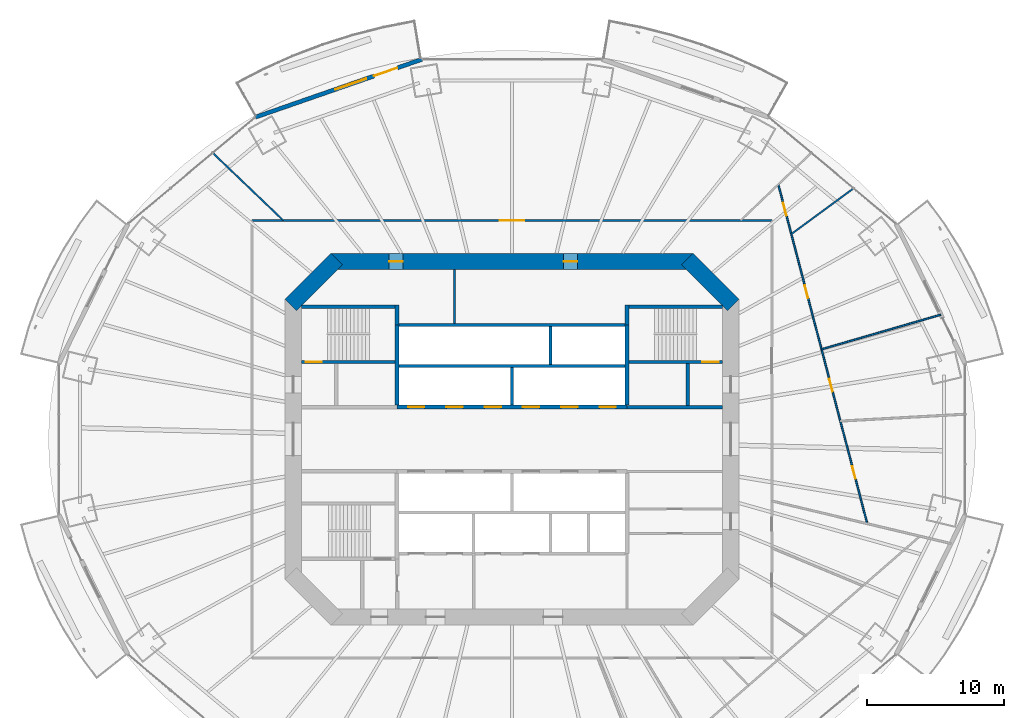
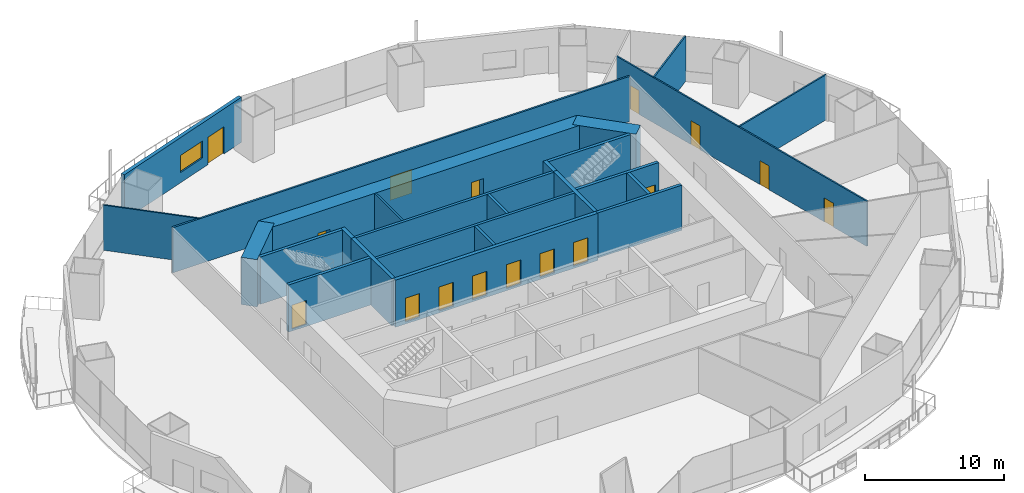
# One storey, part 15 of 21: 25 walls, 16 doors, 1 window, 17 openings.
"""IFC4 building model written with IfcOpenShell, lengths in metres."""

import ifcopenshell
import ifcopenshell.guid

model = None  # the IFC model being written
_history = None  # IfcOwnerHistory: only IFC2X3 demands one
_inside = {}  # id of a spatial element -> (the spatial element, [elements in it])
_under = {}  # id of a project, library or spatial element -> (it, [spatial elements below it])
_declared = {}  # id of a project -> (the project, [libraries it declares])
_typed = {}  # id of a type object -> (the type object, [elements of that type])
_made_of = {}  # id of a material, layer set ... -> (it, [elements and type objects made of it])


def new_model(schema):
    """Start an empty IFC model of exactly this schema.

    Asked for "IFC4X3", IfcOpenShell would pick the latest addendum, in which some entities
    have other attributes; the version numbers below select the first issue.
    IFC2X3 requires an IfcOwnerHistory on every rooted entity: one is made here for all.
    """
    global model, _history
    if schema == "IFC4X3":
        model = ifcopenshell.file(schema_version=(4, 3, 0, 0))
    else:
        model = ifcopenshell.file(schema=schema)
    _inside.clear()
    _under.clear()
    _declared.clear()
    _typed.clear()
    _made_of.clear()
    _history = None
    if model.schema == "IFC2X3":
        org = make("IfcOrganization", Name="unknown")
        user = make(
            "IfcPersonAndOrganization",
            ThePerson=make("IfcPerson", FamilyName="unknown"),
            TheOrganization=org,
        )
        app = make(
            "IfcApplication",
            ApplicationDeveloper=org,
            Version="unknown",
            ApplicationFullName="unknown",
            ApplicationIdentifier="unknown",
        )
        _history = make(
            "IfcOwnerHistory",
            OwningUser=user,
            OwningApplication=app,
            ChangeAction="ADDED",
            CreationDate=0,
        )
    return model


def make(cls, **values):
    """One entity of the class cls with the attributes given. An attribute that is None is left unset."""
    return model.create_entity(
        cls, **{name: value for name, value in values.items() if value is not None}
    )


def rooted(cls, **values):
    """An entity with a GlobalId (a new one), such as an element, a storey or a relation."""
    return make(cls, GlobalId=ifcopenshell.guid.new(), OwnerHistory=_history, **values)


def si_unit(unit_type, name, prefix=None):
    """IfcSIUnit, for example si_unit("LENGTHUNIT", "METRE", prefix="MILLI")."""
    return make("IfcSIUnit", UnitType=unit_type, Prefix=prefix, Name=name)


def assignment(units):
    """IfcUnitAssignment: the units of a project."""
    return None if units is None else make("IfcUnitAssignment", Units=units)


def point(xyz):
    """IfcCartesianPoint."""
    return None if xyz is None else make("IfcCartesianPoint", Coordinates=xyz)


def direction(xyz):
    """IfcDirection."""
    return None if xyz is None else make("IfcDirection", DirectionRatios=xyz)


def frame(location, z_axis=None, x_axis=None):
    """IfcAxis2Placement3D, a coordinate frame: its origin and axes. An axis left out is left unset."""
    return make(
        "IfcAxis2Placement3D",
        Location=point(location),
        Axis=direction(z_axis),
        RefDirection=direction(x_axis),
    )


def frame_2d(location, x_axis=None):
    """IfcAxis2Placement2D, a coordinate frame in the plane: its origin and x axis."""
    return make(
        "IfcAxis2Placement2D", Location=point(location), RefDirection=direction(x_axis)
    )


def origin():
    """The frame at (0, 0, 0) with its axes left unset."""
    return frame((0.0, 0.0, 0.0))


def place(relative_to, where):
    """IfcLocalPlacement: puts the frame where relative to a parent placement (None: the world)."""
    return make(
        "IfcLocalPlacement", PlacementRelTo=relative_to, RelativePlacement=where
    )


def context(
    kind, dimensions, precision=None, world=None, true_north=None, identifier=None
):
    """IfcGeometricRepresentationContext, for example the 3D "Model" context."""
    return make(
        "IfcGeometricRepresentationContext",
        ContextIdentifier=identifier,
        ContextType=kind,
        CoordinateSpaceDimension=dimensions,
        Precision=precision,
        WorldCoordinateSystem=world,
        TrueNorth=true_north,
    )


def subcontext(parent, identifier, kind, view, scale=None):
    """IfcGeometricRepresentationSubContext, for example "Body" below "Model"."""
    return make(
        "IfcGeometricRepresentationSubContext",
        ContextIdentifier=identifier,
        ContextType=kind,
        ParentContext=parent,
        TargetScale=scale,
        TargetView=view,
    )


def project(units=None, contexts=None):
    """IfcProject with its units and contexts."""
    return rooted(
        "IfcProject",
        Name="project",
        RepresentationContexts=contexts,
        UnitsInContext=assignment(units),
    )


def spatial(cls, under=None, at=None, **own):
    """A site, building, storey or space (cls), placed at a placement, below another one or the project."""
    s = rooted(cls, ObjectPlacement=at, **own)
    if under is not None:
        _under.setdefault(under.id(), (under, []))[1].append(s)
    return s


def profile(cls, at=None, kind="AREA", **sizes):
    """A parametric profile (cls). Its sizes go by their IFC names, for example OverallWidth=200.0."""
    return make(cls, ProfileType=kind, Position=at, **sizes)


def rectangle(**sizes):
    """IfcRectangleProfileDef."""
    return profile("IfcRectangleProfileDef", **sizes)


def extrude(swept, where, along, depth):
    """IfcExtrudedAreaSolid: the profile swept, set in the frame where, extruded along a direction by depth."""
    return make(
        "IfcExtrudedAreaSolid",
        SweptArea=swept,
        Position=where,
        ExtrudedDirection=direction(along),
        Depth=depth,
    )


def shape(context_of_items, identifier, shape_type, items):
    """IfcShapeRepresentation: the items that make up one representation, for example the "Body"."""
    return make(
        "IfcShapeRepresentation",
        ContextOfItems=context_of_items,
        RepresentationIdentifier=identifier,
        RepresentationType=shape_type,
        Items=items,
    )


def material(Name=None, Category=None):
    """IfcMaterial."""
    return make("IfcMaterial", Name=Name, Category=Category)


def layer(
    of_material, thickness, ventilated=None, Name=None, Category=None, Priority=None
):
    """IfcMaterialLayer: one layer of a wall or slab, of a material (None: an air gap)."""
    return make(
        "IfcMaterialLayer",
        Material=of_material,
        LayerThickness=thickness,
        IsVentilated=ventilated,
        Name=Name,
        Category=Category,
        Priority=Priority,
    )


def layer_set(layers, Name=None):
    """IfcMaterialLayerSet."""
    return make("IfcMaterialLayerSet", MaterialLayers=layers, LayerSetName=Name)


def made_of(thing, what):
    """Note that an element or type object is made of a material, layer set ...; save() writes the relation."""
    if what is not None:
        _made_of.setdefault(what.id(), (what, []))[1].append(thing)
    return thing


def type_object(cls, material=None, **own):
    """A type object (cls), such as IfcWallType, which elements share."""
    return made_of(rooted(cls, **own), material)


def element(
    cls,
    number,
    at=None,
    inside=None,
    cuts=None,
    type_object=None,
    material=None,
    context=None,
    identifier="Body",
    shape_type=None,
    held_by="IfcProductDefinitionShape",
    body=None,
    shapes=None,
    **own,
):
    """One element of the class cls, such as IfcWall. Its Tag is "e" and its number.

    at: its placement. inside: the storey or other place that contains it. cuts: it is an
    opening in that element (IfcRelVoidsElement). A single representation is given by context,
    identifier, shape_type and body (its items); several are given by shapes. held_by: the class
    of the entity that holds the representations. save() writes the other relations.
    """
    e = rooted(cls, Tag="e%d" % number, ObjectPlacement=at, **own)
    if body is not None:
        shapes = [shape(context, identifier, shape_type, body)]
    if shapes is not None:
        e.Representation = make(held_by, Representations=shapes)
    if inside is not None:
        _inside.setdefault(inside.id(), (inside, []))[1].append(e)
    if cuts is not None:
        rooted(
            "IfcRelVoidsElement", RelatingBuildingElement=cuts, RelatedOpeningElement=e
        )
    if type_object is not None:
        _typed.setdefault(type_object.id(), (type_object, []))[1].append(e)
    return made_of(e, material)


def fill(opening, filler):
    """IfcRelFillsElement: the door or window that sits in an opening."""
    return rooted(
        "IfcRelFillsElement",
        RelatingOpeningElement=opening,
        RelatedBuildingElement=filler,
    )


def aggregate(whole, parts):
    """IfcRelAggregates: a whole, such as a stair, and the parts it consists of."""
    return rooted("IfcRelAggregates", RelatingObject=whole, RelatedObjects=parts)


def save(model, path):
    """Write the relations noted so far, then the file.

    IfcRelAggregates (storeys below a building ...), IfcRelContainedInSpatialStructure (elements
    in a storey), IfcRelDefinesByType, IfcRelAssociatesMaterial and IfcRelDeclares: one each for
    every whole, place, type object, material and project.
    """
    for whole, parts in _under.values():
        aggregate(whole, parts)
    for where, things in _inside.values():
        rooted(
            "IfcRelContainedInSpatialStructure",
            RelatedElements=things,
            RelatingStructure=where,
        )
    for kind, things in _typed.values():
        rooted("IfcRelDefinesByType", RelatedObjects=things, RelatingType=kind)
    for what, things in _made_of.values():
        rooted("IfcRelAssociatesMaterial", RelatedObjects=things, RelatingMaterial=what)
    for by, libraries in _declared.values():
        rooted("IfcRelDeclares", RelatingContext=by, RelatedDefinitions=libraries)
    model.write(path)


model = new_model("IFC4")

# Units and contexts
model_context = context("Model", 3, precision=1e-05, world=origin(), true_north=direction((0.0, 1.0)))
body_context = subcontext(model_context, "Body", "Model", "MODEL_VIEW")
ifc_project = project(units=[si_unit("LENGTHUNIT", "METRE"), si_unit("AREAUNIT", "SQUARE_METRE"), si_unit("VOLUMEUNIT", "CUBIC_METRE"), si_unit("PLANEANGLEUNIT", "RADIAN"), si_unit("MASSUNIT", "GRAM", prefix="KILO")], contexts=[model_context])

# Site, building, storey
site_placement = place(None, origin())
site = spatial("IfcSite", under=ifc_project, at=site_placement, CompositionType="ELEMENT")
building_placement = place(site_placement, origin())
building = spatial("IfcBuilding", under=site, at=building_placement, Name="Marenthal Gate Tower", CompositionType="ELEMENT")
storey_placement = place(building_placement, frame((0.0, 0.0, 124.300048828125)))
storey = spatial("IfcBuildingStorey", under=building, at=storey_placement, Name="L26", CompositionType="ELEMENT", Elevation=124.300048828125)

# Wall
ifc_material_1 = material(Name="Concrete 60 MPa", Category="concrete")
ifc_layer_1 = layer(ifc_material_1, 1.199951171875)
ifc_layer_set_1 = layer_set([ifc_layer_1], Name="Core shear wall 1200")
wall_type_1 = type_object("IfcWallType", Name="Core shear wall 1200", PredefinedType="SHEAR", material=ifc_layer_set_1)
wall_1_placement = place(storey_placement, frame((16.17578125, 9.82421875, -0.179931640625), z_axis=(0.0, 0.0, 1.0), x_axis=(-0.707106781187, 0.707106781187, 0.0)))
element("IfcWall", 1, at=wall_1_placement, inside=storey, type_object=wall_type_1, Name="Core wall 03", PredefinedType="SHEAR", context=body_context, shape_type="SweptSolid", body=[
    extrude(rectangle(XDim=4.73974609375, YDim=1.199951171875, at=frame_2d((2.369873046875, 0.0))), origin(), (0.0, 0.0, 1.0), 4.14990234375),
])

# Wall, openings, doors
wall_2_placement = place(storey_placement, frame((13.24853515625, 13.0, -0.179931640625), z_axis=(0.0, 0.0, 1.0), x_axis=(-1.0, 0.0, 0.0)))
wall_2 = element("IfcWall", 2, at=wall_2_placement, inside=storey, type_object=wall_type_1, Name="Core wall 04", PredefinedType="SHEAR", context=body_context, shape_type="SweptSolid", body=[
    extrude(rectangle(XDim=26.4970703125, YDim=1.199951171875, at=frame_2d((13.24853515625, 0.0))), origin(), (0.0, 0.0, 1.0), 4.14990234375),
])
opening_1_placement = place(wall_2_placement, frame((21.224609375, 0.0, 0.179931640625)))
opening_1 = element("IfcOpeningElement", 3, at=opening_1_placement, cuts=wall_2, Name="Opening D005.01", PredefinedType="OPENING", context=body_context, shape_type="SweptSolid", body=[
    extrude(rectangle(XDim=1.0, YDim=2.10009765625, at=frame_2d((0.5, 1.050048828125))), frame((0.0, 0.60986328125, 0.0), z_axis=(0.0, -1.0, 0.0), x_axis=(1.0, 0.0, 0.0)), (0.0, 0.0, 1.0), 1.219970703125),
])
opening_2_placement = place(wall_2_placement, frame((8.472412109375, 0.0, 0.179931640625)))
opening_2 = element("IfcOpeningElement", 4, at=opening_2_placement, cuts=wall_2, Name="Opening D005.02", PredefinedType="OPENING", context=body_context, shape_type="SweptSolid", body=[
    extrude(rectangle(XDim=1.0, YDim=2.10009765625, at=frame_2d((0.5, 1.050048828125))), frame((0.0, 0.60986328125, 0.0), z_axis=(0.0, -1.0, 0.0), x_axis=(1.0, 0.0, 0.0)), (0.0, 0.0, 1.0), 1.219970703125),
])
ifc_material_2 = material(Name="Steel fire door", Category="steel")
door_type_1 = type_object("IfcDoorType", Name="Fire door FD 45 1000 x 2100", OperationType="NOTDEFINED", PredefinedType="DOOR", material=ifc_material_2)
door_1_placement = place(opening_1_placement, origin())
door_1 = element("IfcDoor", 5, at=door_1_placement, inside=storey, type_object=door_type_1, Name="Door D005.01", OperationType="SINGLE_SWING_RIGHT", OverallHeight=2.10009765625, OverallWidth=1.0, PredefinedType="DOOR", context=body_context, shape_type="SweptSolid", body=[
    extrude(rectangle(XDim=1.0, YDim=2.10009765625, at=frame_2d((0.5, 1.050048828125))), frame((0.0, 0.02490234375, 0.0), z_axis=(0.0, -1.0, 0.0), x_axis=(1.0, 0.0, 0.0)), (0.0, 0.0, 1.0), 0.050048828125),
])
fill(opening_1, door_1)
door_2_placement = place(opening_2_placement, origin())
door_2 = element("IfcDoor", 6, at=door_2_placement, inside=storey, type_object=door_type_1, Name="Door D005.02", OperationType="SINGLE_SWING_RIGHT", OverallHeight=2.10009765625, OverallWidth=1.0, PredefinedType="DOOR", context=body_context, shape_type="SweptSolid", body=[
    extrude(rectangle(XDim=1.0, YDim=2.10009765625, at=frame_2d((0.5, 1.050048828125))), frame((0.0, 0.02490234375, 0.0), z_axis=(0.0, -1.0, 0.0), x_axis=(1.0, 0.0, 0.0)), (0.0, 0.0, 1.0), 0.050048828125),
])
fill(opening_2, door_2)

# Wall
wall_3_placement = place(storey_placement, frame((-12.82421875, 13.17578125, -0.179931640625), z_axis=(0.0, 0.0, 1.0), x_axis=(-0.707106781187, -0.707106781187, 0.0)))
element("IfcWall", 7, at=wall_3_placement, inside=storey, type_object=wall_type_1, Name="Core wall 05", PredefinedType="SHEAR", context=body_context, shape_type="SweptSolid", body=[
    extrude(rectangle(XDim=4.73974609375, YDim=1.199951171875, at=frame_2d((2.369873046875, 0.0))), origin(), (0.0, 0.0, 1.0), 4.14990234375),
])

# Wall, openings, doors
ifc_material_3 = material(Name="Concrete 50 MPa", Category="concrete")
ifc_layer_2 = layer(ifc_material_3, 0.300048828125)
ifc_layer_set_2 = layer_set([ifc_layer_2], Name="Hoistway shear wall 300")
wall_type_2 = type_object("IfcWallType", Name="Hoistway shear wall 300", PredefinedType="SHEAR", material=ifc_layer_set_2)
wall_4_placement = place(storey_placement, frame((-8.39990234375, 2.35009765625, -0.179931640625), z_axis=(0.0, 0.0, 1.0), x_axis=(1.0, 0.0, 0.0)))
wall_4 = element("IfcWall", 8, at=wall_4_placement, inside=storey, type_object=wall_type_2, Name="Hoistway wall 20", PredefinedType="SHEAR", context=body_context, shape_type="SweptSolid", body=[
    extrude(rectangle(XDim=16.7998046875, YDim=0.300048828125, at=frame_2d((8.39990234375, 0.0))), origin(), (0.0, 0.0, 1.0), 4.14990234375),
])
opening_3_placement = place(wall_4_placement, frame((0.800048828125, 0.0, 0.179931640625)))
opening_3 = element("IfcOpeningElement", 9, at=opening_3_placement, cuts=wall_4, Name="Opening LD-LP1", PredefinedType="OPENING", context=body_context, shape_type="SweptSolid", body=[
    extrude(rectangle(XDim=1.199951171875, YDim=2.10009765625, at=frame_2d((0.60009765625, 1.050048828125))), frame((0.0, 0.16015625, 0.0), z_axis=(0.0, -1.0, 0.0), x_axis=(1.0, 0.0, 0.0)), (0.0, 0.0, 1.0), 0.320068359375),
])
opening_4_placement = place(wall_4_placement, frame((3.60009765625, 0.0, 0.179931640625)))
opening_4 = element("IfcOpeningElement", 10, at=opening_4_placement, cuts=wall_4, Name="Opening LD-LP2", PredefinedType="OPENING", context=body_context, shape_type="SweptSolid", body=[
    extrude(rectangle(XDim=1.199951171875, YDim=2.10009765625, at=frame_2d((0.60009765625, 1.050048828125))), frame((0.0, 0.16015625, 0.0), z_axis=(0.0, -1.0, 0.0), x_axis=(1.0, 0.0, 0.0)), (0.0, 0.0, 1.0), 0.320068359375),
])
opening_5_placement = place(wall_4_placement, frame((6.39990234375, 0.0, 0.179931640625)))
opening_5 = element("IfcOpeningElement", 11, at=opening_5_placement, cuts=wall_4, Name="Opening LD-LP3", PredefinedType="OPENING", context=body_context, shape_type="SweptSolid", body=[
    extrude(rectangle(XDim=1.199951171875, YDim=2.10009765625, at=frame_2d((0.60009765625, 1.050048828125))), frame((0.0, 0.16015625, 0.0), z_axis=(0.0, -1.0, 0.0), x_axis=(1.0, 0.0, 0.0)), (0.0, 0.0, 1.0), 0.320068359375),
])
opening_6_placement = place(wall_4_placement, frame((9.199951171875, 0.0, 0.179931640625)))
opening_6 = element("IfcOpeningElement", 12, at=opening_6_placement, cuts=wall_4, Name="Opening LD-LP4", PredefinedType="OPENING", context=body_context, shape_type="SweptSolid", body=[
    extrude(rectangle(XDim=1.199951171875, YDim=2.10009765625, at=frame_2d((0.60009765625, 1.050048828125))), frame((0.0, 0.16015625, 0.0), z_axis=(0.0, -1.0, 0.0), x_axis=(1.0, 0.0, 0.0)), (0.0, 0.0, 1.0), 0.320068359375),
])
opening_7_placement = place(wall_4_placement, frame((12.0, 0.0, 0.179931640625)))
opening_7 = element("IfcOpeningElement", 13, at=opening_7_placement, cuts=wall_4, Name="Opening LD-LP5", PredefinedType="OPENING", context=body_context, shape_type="SweptSolid", body=[
    extrude(rectangle(XDim=1.199951171875, YDim=2.10009765625, at=frame_2d((0.60009765625, 1.050048828125))), frame((0.0, 0.16015625, 0.0), z_axis=(0.0, -1.0, 0.0), x_axis=(1.0, 0.0, 0.0)), (0.0, 0.0, 1.0), 0.320068359375),
])
opening_8_placement = place(wall_4_placement, frame((14.800048828125, 0.0, 0.179931640625)))
opening_8 = element("IfcOpeningElement", 14, at=opening_8_placement, cuts=wall_4, Name="Opening LD-LP6", PredefinedType="OPENING", context=body_context, shape_type="SweptSolid", body=[
    extrude(rectangle(XDim=1.199951171875, YDim=2.10009765625, at=frame_2d((0.60009765625, 1.050048828125))), frame((0.0, 0.16015625, 0.0), z_axis=(0.0, -1.0, 0.0), x_axis=(1.0, 0.0, 0.0)), (0.0, 0.0, 1.0), 0.320068359375),
])
ifc_material_4 = material(Name="Stainless steel sliding door", Category="steel")
door_type_2 = type_object("IfcDoorType", Name="Lift landing door FD 90 1200 x 2100", OperationType="DOUBLE_DOOR_SLIDING", PredefinedType="DOOR", material=ifc_material_4)
door_3_placement = place(opening_3_placement, origin())
door_3 = element("IfcDoor", 15, at=door_3_placement, inside=storey, type_object=door_type_2, Name="Lift landing door LP1", OperationType="DOUBLE_DOOR_SLIDING", OverallHeight=2.10009765625, OverallWidth=1.199951171875, PredefinedType="DOOR", context=body_context, shape_type="SweptSolid", body=[
    extrude(rectangle(XDim=1.199951171875, YDim=2.10009765625, at=frame_2d((0.60009765625, 1.050048828125))), frame((0.0, 0.02490234375, 0.0), z_axis=(0.0, -1.0, 0.0), x_axis=(1.0, 0.0, 0.0)), (0.0, 0.0, 1.0), 0.050048828125),
])
fill(opening_3, door_3)
door_4_placement = place(opening_4_placement, origin())
door_4 = element("IfcDoor", 16, at=door_4_placement, inside=storey, type_object=door_type_2, Name="Lift landing door LP2", OperationType="DOUBLE_DOOR_SLIDING", OverallHeight=2.10009765625, OverallWidth=1.199951171875, PredefinedType="DOOR", context=body_context, shape_type="SweptSolid", body=[
    extrude(rectangle(XDim=1.199951171875, YDim=2.10009765625, at=frame_2d((0.60009765625, 1.050048828125))), frame((0.0, 0.02490234375, 0.0), z_axis=(0.0, -1.0, 0.0), x_axis=(1.0, 0.0, 0.0)), (0.0, 0.0, 1.0), 0.050048828125),
])
fill(opening_4, door_4)
door_5_placement = place(opening_5_placement, origin())
door_5 = element("IfcDoor", 17, at=door_5_placement, inside=storey, type_object=door_type_2, Name="Lift landing door LP3", OperationType="DOUBLE_DOOR_SLIDING", OverallHeight=2.10009765625, OverallWidth=1.199951171875, PredefinedType="DOOR", context=body_context, shape_type="SweptSolid", body=[
    extrude(rectangle(XDim=1.199951171875, YDim=2.10009765625, at=frame_2d((0.60009765625, 1.050048828125))), frame((0.0, 0.02490234375, 0.0), z_axis=(0.0, -1.0, 0.0), x_axis=(1.0, 0.0, 0.0)), (0.0, 0.0, 1.0), 0.050048828125),
])
fill(opening_5, door_5)
door_6_placement = place(opening_6_placement, origin())
door_6 = element("IfcDoor", 18, at=door_6_placement, inside=storey, type_object=door_type_2, Name="Lift landing door LP4", OperationType="DOUBLE_DOOR_SLIDING", OverallHeight=2.10009765625, OverallWidth=1.199951171875, PredefinedType="DOOR", context=body_context, shape_type="SweptSolid", body=[
    extrude(rectangle(XDim=1.199951171875, YDim=2.10009765625, at=frame_2d((0.60009765625, 1.050048828125))), frame((0.0, 0.02490234375, 0.0), z_axis=(0.0, -1.0, 0.0), x_axis=(1.0, 0.0, 0.0)), (0.0, 0.0, 1.0), 0.050048828125),
])
fill(opening_6, door_6)
door_7_placement = place(opening_7_placement, origin())
door_7 = element("IfcDoor", 19, at=door_7_placement, inside=storey, type_object=door_type_2, Name="Lift landing door LP5", OperationType="DOUBLE_DOOR_SLIDING", OverallHeight=2.10009765625, OverallWidth=1.199951171875, PredefinedType="DOOR", context=body_context, shape_type="SweptSolid", body=[
    extrude(rectangle(XDim=1.199951171875, YDim=2.10009765625, at=frame_2d((0.60009765625, 1.050048828125))), frame((0.0, 0.02490234375, 0.0), z_axis=(0.0, -1.0, 0.0), x_axis=(1.0, 0.0, 0.0)), (0.0, 0.0, 1.0), 0.050048828125),
])
fill(opening_7, door_7)
door_8_placement = place(opening_8_placement, origin())
door_8 = element("IfcDoor", 20, at=door_8_placement, inside=storey, type_object=door_type_2, Name="Lift landing door LP6", OperationType="DOUBLE_DOOR_SLIDING", OverallHeight=2.10009765625, OverallWidth=1.199951171875, PredefinedType="DOOR", context=body_context, shape_type="SweptSolid", body=[
    extrude(rectangle(XDim=1.199951171875, YDim=2.10009765625, at=frame_2d((0.60009765625, 1.050048828125))), frame((0.0, 0.02490234375, 0.0), z_axis=(0.0, -1.0, 0.0), x_axis=(1.0, 0.0, 0.0)), (0.0, 0.0, 1.0), 0.050048828125),
])
fill(opening_8, door_8)

# Walls
for number, where, z_axis, x_axis, name in (
    (21, (-8.39990234375, 2.5, -0.179931640625), (0.0, 0.0, 1.0), (0.0, 1.0, 0.0), "Hoistway wall 32"),
    (22, (8.39990234375, 2.5, -0.179931640625), (0.0, 0.0, 1.0), (0.0, 1.0, 0.0), "Hoistway wall 44"),
):
    element("IfcWall", number, at=place(storey_placement, frame(where, z_axis=z_axis, x_axis=x_axis)), inside=storey, type_object=wall_type_2, Name=name, PredefinedType="SHEAR", context=body_context, shape_type="SweptSolid", body=[
        extrude(rectangle(XDim=5.85009765625, YDim=0.300048828125, at=frame_2d((2.925048828125, 0.0))), origin(), (0.0, 0.0, 1.0), 4.14990234375),
    ])
ifc_material_5 = material(Name="Concrete 40 MPa", Category="concrete")
ifc_layer_3 = layer(ifc_material_5, 0.219970703125)
ifc_layer_set_3 = layer_set([ifc_layer_3], Name="Hoistway wall 220")
wall_type_3 = type_object("IfcWallType", Name="Hoistway wall 220", PredefinedType="STANDARD", material=ifc_layer_set_3)
for number, where, z_axis, x_axis, name in (
    (23, (-8.25, 5.35009765625, 0.0), (0.0, 0.0, 1.0), (1.0, 0.0, 0.0), "Hoistway wall 22"),
    (24, (-8.25, 8.35009765625, 0.0), (0.0, 0.0, 1.0), (1.0, 0.0, 0.0), "Hoistway wall 25"),
):
    element("IfcWall", number, at=place(storey_placement, frame(where, z_axis=z_axis, x_axis=x_axis)), inside=storey, type_object=wall_type_3, Name=name, PredefinedType="STANDARD", context=body_context, shape_type="SweptSolid", body=[
        extrude(rectangle(XDim=16.5, YDim=0.219970703125, at=frame_2d((8.25, 0.0))), origin(), (0.0, 0.0, 1.0), 3.969970703125),
    ])
wall_5_placement = place(storey_placement, frame((0.0, 2.5, 0.0), z_axis=(0.0, 0.0, 1.0), x_axis=(0.0, 1.0, 0.0)))
element("IfcWall", 25, at=wall_5_placement, inside=storey, type_object=wall_type_3, Name="Hoistway wall 38", PredefinedType="STANDARD", context=body_context, shape_type="SweptSolid", body=[
    extrude(rectangle(XDim=2.739990234375, YDim=0.219970703125, at=frame_2d((1.3701171875, 0.0))), origin(), (0.0, 0.0, 1.0), 3.969970703125),
])
wall_6_placement = place(storey_placement, frame((2.800048828125, 5.4599609375, 0.0), z_axis=(0.0, 0.0, 1.0), x_axis=(0.0, 1.0, 0.0)))
element("IfcWall", 26, at=wall_6_placement, inside=storey, type_object=wall_type_3, Name="Hoistway wall 40", PredefinedType="STANDARD", context=body_context, shape_type="SweptSolid", body=[
    extrude(rectangle(XDim=2.780029296875, YDim=0.219970703125, at=frame_2d((1.39013671875, 0.0))), origin(), (0.0, 0.0, 1.0), 3.969970703125),
])
ifc_material_6 = material(Name="Gypsum board on steel studs", Category="steel")
ifc_layer_4 = layer(ifc_material_6, 0.1201171875)
ifc_layer_set_4 = layer_set([ifc_layer_4], Name="Partition 120")
wall_type_4 = type_object("IfcWallType", Name="Partition 120", PredefinedType="PARTITIONING", material=ifc_layer_set_4)
wall_7_placement = place(storey_placement, frame((-16.722900390625, 16.0, 0.0), z_axis=(0.0, 0.0, 1.0), x_axis=(-0.722571333341, 0.691296367872, 0.0)))
element("IfcWall", 27, at=wall_7_placement, inside=storey, type_object=wall_type_4, Name="Partition wall 49", PredefinedType="PARTITIONING", context=body_context, shape_type="SweptSolid", body=[
    extrude(rectangle(XDim=7.142822265625, YDim=0.1201171875, at=frame_2d((3.5712890625, 0.0))), origin(), (0.0, 0.0, 1.0), 3.969970703125),
])
wall_8_placement = place(storey_placement, frame((24.975830078125, 18.345947265625, 0.0), z_axis=(0.0, 0.0, 1.0), x_axis=(-0.805952536967, -0.591980158583, 0.0)))
element("IfcWall", 28, at=wall_8_placement, inside=storey, type_object=wall_type_4, Name="Partition wall 59", PredefinedType="PARTITIONING", context=body_context, shape_type="SweptSolid", body=[
    extrude(rectangle(XDim=5.646728515625, YDim=0.1201171875, at=frame_2d((2.8232421875, 0.0))), origin(), (0.0, 0.0, 1.0), 3.969970703125),
])

# Wall, openings, doors
wall_9_placement = place(storey_placement, frame((25.97900390625, -6.173095703125, 0.0), z_axis=(0.0, 0.0, 1.0), x_axis=(-0.253695602942, 0.967284105652, 0.0)))
wall_9 = element("IfcWall", 29, at=wall_9_placement, inside=storey, type_object=wall_type_4, Name="Partition wall 61", PredefinedType="PARTITIONING", context=body_context, shape_type="SweptSolid", body=[
    extrude(rectangle(XDim=25.643310546875, YDim=0.1201171875, at=frame_2d((12.82177734375, 0.0))), origin(), (0.0, 0.0, 1.0), 3.969970703125),
])
opening_9_placement = place(wall_9_placement, frame((3.402099609375, 0.0, 0.0)))
opening_9 = element("IfcOpeningElement", 30, at=opening_9_placement, cuts=wall_9, Name="Opening D016.06", PredefinedType="OPENING", context=body_context, shape_type="SweptSolid", body=[
    extrude(rectangle(XDim=0.949951171875, YDim=2.10009765625, at=frame_2d((0.47509765625, 1.050048828125))), frame((0.0, 0.070068359375, 0.0), z_axis=(0.0, -1.0, 0.0), x_axis=(1.0, 0.0, 0.0)), (0.0, 0.0, 1.0), 0.14013671875),
])
opening_10_placement = place(wall_9_placement, frame((9.991943359375, 0.0, 0.0)))
opening_10 = element("IfcOpeningElement", 31, at=opening_10_placement, cuts=wall_9, Name="Opening D016.07", PredefinedType="OPENING", context=body_context, shape_type="SweptSolid", body=[
    extrude(rectangle(XDim=0.949951171875, YDim=2.10009765625, at=frame_2d((0.47509765625, 1.050048828125))), frame((0.0, 0.070068359375, 0.0), z_axis=(0.0, -1.0, 0.0), x_axis=(1.0, 0.0, 0.0)), (0.0, 0.0, 1.0), 0.14013671875),
])
opening_11_placement = place(wall_9_placement, frame((17.06103515625, 0.0, 0.0)))
opening_11 = element("IfcOpeningElement", 32, at=opening_11_placement, cuts=wall_9, Name="Opening D016.08", PredefinedType="OPENING", context=body_context, shape_type="SweptSolid", body=[
    extrude(rectangle(XDim=0.949951171875, YDim=2.10009765625, at=frame_2d((0.47509765625, 1.050048828125))), frame((0.0, 0.070068359375, 0.0), z_axis=(0.0, -1.0, 0.0), x_axis=(1.0, 0.0, 0.0)), (0.0, 0.0, 1.0), 0.14013671875),
])
opening_12_placement = place(wall_9_placement, frame((23.29296875, 0.0, 0.0)))
opening_12 = element("IfcOpeningElement", 33, at=opening_12_placement, cuts=wall_9, Name="Opening D016.09", PredefinedType="OPENING", context=body_context, shape_type="SweptSolid", body=[
    extrude(rectangle(XDim=0.949951171875, YDim=2.10009765625, at=frame_2d((0.47509765625, 1.050048828125))), frame((0.0, 0.070068359375, 0.0), z_axis=(0.0, -1.0, 0.0), x_axis=(1.0, 0.0, 0.0)), (0.0, 0.0, 1.0), 0.14013671875),
])
ifc_material_7 = material(Name="Timber door", Category="wood")
door_type_3 = type_object("IfcDoorType", Name="Door 950 x 2100", OperationType="NOTDEFINED", PredefinedType="DOOR", material=ifc_material_7)
door_9_placement = place(opening_9_placement, frame((0.949951171875, 0.0, 0.0), z_axis=(0.0, 0.0, 1.0), x_axis=(-1.0, 0.0, 0.0)))
door_9 = element("IfcDoor", 34, at=door_9_placement, inside=storey, type_object=door_type_3, Name="Door D016.06", OperationType="SINGLE_SWING_LEFT", OverallHeight=2.10009765625, OverallWidth=0.949951171875, PredefinedType="DOOR", context=body_context, shape_type="SweptSolid", body=[
    extrude(rectangle(XDim=0.949951171875, YDim=2.10009765625, at=frame_2d((0.47509765625, 1.050048828125))), frame((0.0, 0.02490234375, 0.0), z_axis=(0.0, -1.0, 0.0), x_axis=(1.0, 0.0, 0.0)), (0.0, 0.0, 1.0), 0.050048828125),
])
fill(opening_9, door_9)
door_10_placement = place(opening_10_placement, frame((0.949951171875, 0.0, 0.0), z_axis=(0.0, 0.0, 1.0), x_axis=(-1.0, 0.0, 0.0)))
door_10 = element("IfcDoor", 35, at=door_10_placement, inside=storey, type_object=door_type_3, Name="Door D016.07", OperationType="SINGLE_SWING_LEFT", OverallHeight=2.10009765625, OverallWidth=0.949951171875, PredefinedType="DOOR", context=body_context, shape_type="SweptSolid", body=[
    extrude(rectangle(XDim=0.949951171875, YDim=2.10009765625, at=frame_2d((0.47509765625, 1.050048828125))), frame((0.0, 0.02490234375, 0.0), z_axis=(0.0, -1.0, 0.0), x_axis=(1.0, 0.0, 0.0)), (0.0, 0.0, 1.0), 0.050048828125),
])
fill(opening_10, door_10)
door_11_placement = place(opening_11_placement, frame((0.949951171875, 0.0, 0.0), z_axis=(0.0, 0.0, 1.0), x_axis=(-1.0, 0.0, 0.0)))
door_11 = element("IfcDoor", 36, at=door_11_placement, inside=storey, type_object=door_type_3, Name="Door D016.08", OperationType="SINGLE_SWING_LEFT", OverallHeight=2.10009765625, OverallWidth=0.949951171875, PredefinedType="DOOR", context=body_context, shape_type="SweptSolid", body=[
    extrude(rectangle(XDim=0.949951171875, YDim=2.10009765625, at=frame_2d((0.47509765625, 1.050048828125))), frame((0.0, 0.02490234375, 0.0), z_axis=(0.0, -1.0, 0.0), x_axis=(1.0, 0.0, 0.0)), (0.0, 0.0, 1.0), 0.050048828125),
])
fill(opening_11, door_11)
door_12_placement = place(opening_12_placement, frame((0.949951171875, 0.0, 0.0), z_axis=(0.0, 0.0, 1.0), x_axis=(-1.0, 0.0, 0.0)))
door_12 = element("IfcDoor", 37, at=door_12_placement, inside=storey, type_object=door_type_3, Name="Door D016.09", OperationType="SINGLE_SWING_LEFT", OverallHeight=2.10009765625, OverallWidth=0.949951171875, PredefinedType="DOOR", context=body_context, shape_type="SweptSolid", body=[
    extrude(rectangle(XDim=0.949951171875, YDim=2.10009765625, at=frame_2d((0.47509765625, 1.050048828125))), frame((0.0, 0.02490234375, 0.0), z_axis=(0.0, -1.0, 0.0), x_axis=(1.0, 0.0, 0.0)), (0.0, 0.0, 1.0), 0.050048828125),
])
fill(opening_12, door_12)

# Walls
wall_10_placement = place(storey_placement, frame((31.36279296875, 9.111572265625, 0.0), z_axis=(0.0, 0.0, 1.0), x_axis=(-0.960291915754, -0.278997198082, 0.0)))
element("IfcWall", 38, at=wall_10_placement, inside=storey, type_object=wall_type_4, Name="Partition wall 62", PredefinedType="PARTITIONING", context=body_context, shape_type="SweptSolid", body=[
    extrude(rectangle(XDim=9.08837890625, YDim=0.1201171875, at=frame_2d((4.544189453125, 0.0))), origin(), (0.0, 0.0, 1.0), 3.969970703125),
])
ifc_material_8 = material(Name="Gypsum board on steel studs", Category="steel")
ifc_layer_5 = layer(ifc_material_8, 0.14990234375)
ifc_layer_set_5 = layer_set([ifc_layer_5], Name="Partition 150")
wall_type_5 = type_object("IfcWallType", Name="Partition 150", PredefinedType="PARTITIONING", material=ifc_layer_set_5)
wall_11_placement = place(storey_placement, frame((-4.199951171875, 8.4599609375, 0.0), z_axis=(0.0, 0.0, 1.0), x_axis=(0.0, 1.0, 0.0)))
element("IfcWall", 39, at=wall_11_placement, inside=storey, type_object=wall_type_5, Name="Partition wall 34", PredefinedType="PARTITIONING", context=body_context, shape_type="SweptSolid", body=[
    extrude(rectangle(XDim=3.93994140625, YDim=0.14990234375, at=frame_2d((1.969970703125, 0.0))), origin(), (0.0, 0.0, 1.0), 3.969970703125),
])

# Wall, opening, door
wall_12_placement = place(storey_placement, frame((-19.0, 16.0, 0.0), z_axis=(0.0, 0.0, 1.0), x_axis=(1.0, 0.0, 0.0)))
wall_12 = element("IfcWall", 40, at=wall_12_placement, inside=storey, type_object=wall_type_5, Name="Partition wall 48", PredefinedType="PARTITIONING", context=body_context, shape_type="SweptSolid", body=[
    extrude(rectangle(XDim=38.0, YDim=0.14990234375, at=frame_2d((19.0, 0.0))), origin(), (0.0, 0.0, 1.0), 3.969970703125),
])
opening_13_placement = place(wall_12_placement, frame((18.10009765625, 0.0, 0.0)))
opening_13 = element("IfcOpeningElement", 41, at=opening_13_placement, cuts=wall_12, Name="Opening D014.01", PredefinedType="OPENING", context=body_context, shape_type="SweptSolid", body=[
    extrude(rectangle(XDim=1.800048828125, YDim=2.10009765625, at=frame_2d((0.89990234375, 1.050048828125))), frame((0.0, 0.0849609375, 0.0), z_axis=(0.0, -1.0, 0.0), x_axis=(1.0, 0.0, 0.0)), (0.0, 0.0, 1.0), 0.169921875),
])
ifc_material_9 = material(Name="Timber door", Category="wood")
door_type_4 = type_object("IfcDoorType", Name="Double door 1800 x 2100", OperationType="DOUBLE_DOOR_SINGLE_SWING", PredefinedType="DOOR", material=ifc_material_9)
door_13_placement = place(opening_13_placement, origin())
door_13 = element("IfcDoor", 42, at=door_13_placement, inside=storey, type_object=door_type_4, Name="Door D014.01", OperationType="DOUBLE_DOOR_SINGLE_SWING", OverallHeight=2.10009765625, OverallWidth=1.800048828125, PredefinedType="DOOR", context=body_context, shape_type="SweptSolid", body=[
    extrude(rectangle(XDim=1.800048828125, YDim=2.10009765625, at=frame_2d((0.89990234375, 1.050048828125))), frame((0.0, 0.02490234375, 0.0), z_axis=(0.0, -1.0, 0.0), x_axis=(1.0, 0.0, 0.0)), (0.0, 0.0, 1.0), 0.050048828125),
])
fill(opening_13, door_13)

# Walls
ifc_material_10 = material(Name="Concrete 40 MPa", Category="concrete")
ifc_layer_6 = layer(ifc_material_10, 0.25)
ifc_layer_set_6 = layer_set([ifc_layer_6], Name="Stair enclosure wall 250")
wall_type_6 = type_object("IfcWallType", Name="Stair enclosure wall 250", PredefinedType="STANDARD", material=ifc_layer_set_6)
wall_13_placement = place(storey_placement, frame((8.39990234375, 2.35009765625, 0.0), z_axis=(0.0, 0.0, 1.0), x_axis=(1.0, 0.0, 0.0)))
element("IfcWall", 43, at=wall_13_placement, inside=storey, type_object=wall_type_6, Name="Stair wall 21", PredefinedType="STANDARD", context=body_context, shape_type="SweptSolid", body=[
    extrude(rectangle(XDim=7.0, YDim=0.25, at=frame_2d((3.5, 0.0))), origin(), (0.0, 0.0, 1.0), 3.969970703125),
])
wall_14_placement = place(storey_placement, frame((12.85009765625, 2.47509765625, 0.0), z_axis=(0.0, 0.0, 1.0), x_axis=(0.0, 1.0, 0.0)))
element("IfcWall", 44, at=wall_14_placement, inside=storey, type_object=wall_type_6, Name="Stair wall 46", PredefinedType="STANDARD", context=body_context, shape_type="SweptSolid", body=[
    extrude(rectangle(XDim=3.0498046875, YDim=0.25, at=frame_2d((1.52490234375, 0.0))), origin(), (0.0, 0.0, 1.0), 3.969970703125),
])

# Wall, opening, door
ifc_material_11 = material(Name="Concrete 50 MPa", Category="concrete")
ifc_layer_7 = layer(ifc_material_11, 0.25)
ifc_layer_set_7 = layer_set([ifc_layer_7], Name="Stair shear wall 250")
wall_type_7 = type_object("IfcWallType", Name="Stair shear wall 250", PredefinedType="SHEAR", material=ifc_layer_set_7)
wall_15_placement = place(storey_placement, frame((-15.39990234375, 5.64990234375, -0.179931640625), z_axis=(0.0, 0.0, 1.0), x_axis=(1.0, 0.0, 0.0)))
wall_15 = element("IfcWall", 45, at=wall_15_placement, inside=storey, type_object=wall_type_7, Name="Stair wall 23", PredefinedType="SHEAR", context=body_context, shape_type="SweptSolid", body=[
    extrude(rectangle(XDim=6.849853515625, YDim=0.25, at=frame_2d((3.4248046875, 0.0))), origin(), (0.0, 0.0, 1.0), 4.14990234375),
])
opening_14_placement = place(wall_15_placement, frame((0.300048828125, 0.0, 0.179931640625)))
opening_14 = element("IfcOpeningElement", 46, at=opening_14_placement, cuts=wall_15, Name="Opening D001.01", PredefinedType="OPENING", context=body_context, shape_type="SweptSolid", body=[
    extrude(rectangle(XDim=1.199951171875, YDim=2.10009765625, at=frame_2d((0.60009765625, 1.050048828125))), frame((0.0, 0.135009765625, 0.0), z_axis=(0.0, -1.0, 0.0), x_axis=(1.0, 0.0, 0.0)), (0.0, 0.0, 1.0), 0.27001953125),
])
ifc_material_12 = material(Name="Steel fire door", Category="steel")
door_type_5 = type_object("IfcDoorType", Name="Fire door FD 90 1200 x 2100", OperationType="NOTDEFINED", PredefinedType="DOOR", material=ifc_material_12)
door_14_placement = place(opening_14_placement, origin())
door_14 = element("IfcDoor", 47, at=door_14_placement, inside=storey, type_object=door_type_5, Name="Door D001.01", OperationType="SINGLE_SWING_RIGHT", OverallHeight=2.10009765625, OverallWidth=1.199951171875, PredefinedType="DOOR", context=body_context, shape_type="SweptSolid", body=[
    extrude(rectangle(XDim=1.199951171875, YDim=2.10009765625, at=frame_2d((0.60009765625, 1.050048828125))), frame((0.0, 0.02490234375, 0.0), z_axis=(0.0, -1.0, 0.0), x_axis=(1.0, 0.0, 0.0)), (0.0, 0.0, 1.0), 0.050048828125),
])
fill(opening_14, door_14)

wall_16_placement = place(storey_placement, frame((8.550048828125, 5.64990234375, -0.179931640625), z_axis=(0.0, 0.0, 1.0), x_axis=(1.0, 0.0, 0.0)))
wall_16 = element("IfcWall", 48, at=wall_16_placement, inside=storey, type_object=wall_type_7, Name="Stair wall 24", PredefinedType="SHEAR", context=body_context, shape_type="SweptSolid", body=[
    extrude(rectangle(XDim=6.849853515625, YDim=0.25, at=frame_2d((3.4248046875, 0.0))), origin(), (0.0, 0.0, 1.0), 4.14990234375),
])
opening_15_placement = place(wall_16_placement, frame((5.35009765625, 0.0, 0.179931640625)))
opening_15 = element("IfcOpeningElement", 49, at=opening_15_placement, cuts=wall_16, Name="Opening D001.02", PredefinedType="OPENING", context=body_context, shape_type="SweptSolid", body=[
    extrude(rectangle(XDim=1.199951171875, YDim=2.10009765625, at=frame_2d((0.60009765625, 1.050048828125))), frame((0.0, 0.135009765625, 0.0), z_axis=(0.0, -1.0, 0.0), x_axis=(1.0, 0.0, 0.0)), (0.0, 0.0, 1.0), 0.27001953125),
])
door_15_placement = place(opening_15_placement, origin())
door_15 = element("IfcDoor", 50, at=door_15_placement, inside=storey, type_object=door_type_5, Name="Door D001.02", OperationType="SINGLE_SWING_RIGHT", OverallHeight=2.10009765625, OverallWidth=1.199951171875, PredefinedType="DOOR", context=body_context, shape_type="SweptSolid", body=[
    extrude(rectangle(XDim=1.199951171875, YDim=2.10009765625, at=frame_2d((0.60009765625, 1.050048828125))), frame((0.0, 0.02490234375, 0.0), z_axis=(0.0, -1.0, 0.0), x_axis=(1.0, 0.0, 0.0)), (0.0, 0.0, 1.0), 0.050048828125),
])
fill(opening_15, door_15)

# Walls
for number, where, z_axis, x_axis, name in (
    (51, (-15.39990234375, 9.699951171875, -0.179931640625), (0.0, 0.0, 1.0), (1.0, 0.0, 0.0), "Stair wall 26"),
    (52, (8.550048828125, 9.699951171875, -0.179931640625), (0.0, 0.0, 1.0), (1.0, 0.0, 0.0), "Stair wall 27"),
):
    element("IfcWall", number, at=place(storey_placement, frame(where, z_axis=z_axis, x_axis=x_axis)), inside=storey, type_object=wall_type_7, Name=name, PredefinedType="SHEAR", context=body_context, shape_type="SweptSolid", body=[
        extrude(rectangle(XDim=6.849853515625, YDim=0.25, at=frame_2d((3.4248046875, 0.0))), origin(), (0.0, 0.0, 1.0), 4.14990234375),
    ])
ifc_material_13 = material(Name="Concrete 50 MPa", Category="concrete")
ifc_layer_8 = layer(ifc_material_13, 0.300048828125)
ifc_layer_set_8 = layer_set([ifc_layer_8], Name="Stair shear wall 300")
wall_type_8 = type_object("IfcWallType", Name="Stair shear wall 300", PredefinedType="SHEAR", material=ifc_layer_set_8)
for number, where, z_axis, x_axis, name in (
    (53, (-8.39990234375, 8.35009765625, -0.179931640625), (0.0, 0.0, 1.0), (0.0, 1.0, 0.0), "Stair wall 33"),
    (54, (8.39990234375, 8.35009765625, -0.179931640625), (0.0, 0.0, 1.0), (0.0, 1.0, 0.0), "Stair wall 45"),
):
    element("IfcWall", number, at=place(storey_placement, frame(where, z_axis=z_axis, x_axis=x_axis)), inside=storey, type_object=wall_type_8, Name=name, PredefinedType="SHEAR", context=body_context, shape_type="SweptSolid", body=[
        extrude(rectangle(XDim=1.474853515625, YDim=0.300048828125, at=frame_2d((0.7373046875, 0.0))), origin(), (0.0, 0.0, 1.0), 4.14990234375),
    ])

# Wall, openings, door, window
ifc_material_14 = material(Name="Terracotta cladding on insulated concrete-block backing", Category="masonry")
ifc_layer_9 = layer(ifc_material_14, 0.300048828125)
ifc_layer_set_9 = layer_set([ifc_layer_9], Name="Terracotta facade wall 300")
wall_type_9 = type_object("IfcWallType", Name="Terracotta facade wall 300", PredefinedType="SOLIDWALL", material=ifc_layer_set_9)
wall_17_placement = place(storey_placement, frame((-6.5908203125, 27.77783203125, 0.0), z_axis=(0.0, 0.0, 1.0), x_axis=(-0.944664780262, -0.328037273694, 0.0)))
wall_17 = element("IfcWall", 55, at=wall_17_placement, inside=storey, type_object=wall_type_9, Name="Terracotta facade wall L26 bay 5", PredefinedType="SOLIDWALL", context=body_context, shape_type="SweptSolid", body=[
    extrude(rectangle(XDim=12.891845703125, YDim=0.300048828125, at=frame_2d((6.44580078125, 0.0))), origin(), (0.0, 0.0, 1.0), 3.969970703125),
])
opening_16_placement = place(wall_17_placement, frame((1.89990234375, 0.0, 0.0)))
opening_16 = element("IfcOpeningElement", 56, at=opening_16_placement, cuts=wall_17, Name="Opening BD-L26-05", PredefinedType="OPENING", context=body_context, shape_type="SweptSolid", body=[
    extrude(rectangle(XDim=1.800048828125, YDim=2.39990234375, at=frame_2d((0.89990234375, 1.199951171875))), frame((0.0, 0.16015625, 0.0), z_axis=(0.0, -1.0, 0.0), x_axis=(1.0, 0.0, 0.0)), (0.0, 0.0, 1.0), 0.320068359375),
])
opening_17_placement = place(wall_17_placement, frame((4.300048828125, 0.0, 0.89990234375)))
opening_17 = element("IfcOpeningElement", 57, at=opening_17_placement, cuts=wall_17, Name="Opening WN1-L26-05", PredefinedType="OPENING", context=body_context, shape_type="SweptSolid", body=[
    extrude(rectangle(XDim=2.39990234375, YDim=1.5, at=frame_2d((1.199951171875, 0.75))), frame((0.0, 0.16015625, 0.0), z_axis=(0.0, -1.0, 0.0), x_axis=(1.0, 0.0, 0.0)), (0.0, 0.0, 1.0), 0.320068359375),
])
ifc_material_15 = material(Name="Aluminium and glass", Category="aluminium")
door_type_6 = type_object("IfcDoorType", Name="Balcony door 1800x2400", OperationType="DOUBLE_DOOR_SINGLE_SWING", PredefinedType="DOOR", material=ifc_material_15)
door_16_placement = place(opening_16_placement, origin())
door_16 = element("IfcDoor", 58, at=door_16_placement, inside=storey, type_object=door_type_6, Name="Balcony door L26 bay 5", OperationType="SINGLE_SWING_LEFT", OverallHeight=2.39990234375, OverallWidth=1.800048828125, PredefinedType="DOOR", context=body_context, shape_type="SweptSolid", body=[
    extrude(rectangle(XDim=1.800048828125, YDim=2.39990234375, at=frame_2d((0.89990234375, 1.199951171875))), frame((0.0, 0.02490234375, 0.0), z_axis=(0.0, -1.0, 0.0), x_axis=(1.0, 0.0, 0.0)), (0.0, 0.0, 1.0), 0.050048828125),
])
fill(opening_16, door_16)
ifc_material_16 = material(Name="Aluminium and glass", Category="aluminium")
window_type = type_object("IfcWindowType", Name="Window 2400x1500", PartitioningType="TRIPLE_PANEL_VERTICAL", PredefinedType="WINDOW", material=ifc_material_16)
window_placement = place(opening_17_placement, origin())
window = element("IfcWindow", 59, at=window_placement, inside=storey, type_object=window_type, Name="Window L26 bay 5", OverallHeight=1.5, OverallWidth=2.39990234375, PartitioningType="SINGLE_PANEL", PredefinedType="WINDOW", context=body_context, shape_type="SweptSolid", body=[
    extrude(rectangle(XDim=2.39990234375, YDim=1.5, at=frame_2d((1.199951171875, 0.75))), frame((0.0, 0.030029296875, 0.0), z_axis=(0.0, -1.0, 0.0), x_axis=(1.0, 0.0, 0.0)), (0.0, 0.0, 1.0), 0.06005859375),
])
fill(opening_17, window)

save(model, "model.ifc")
